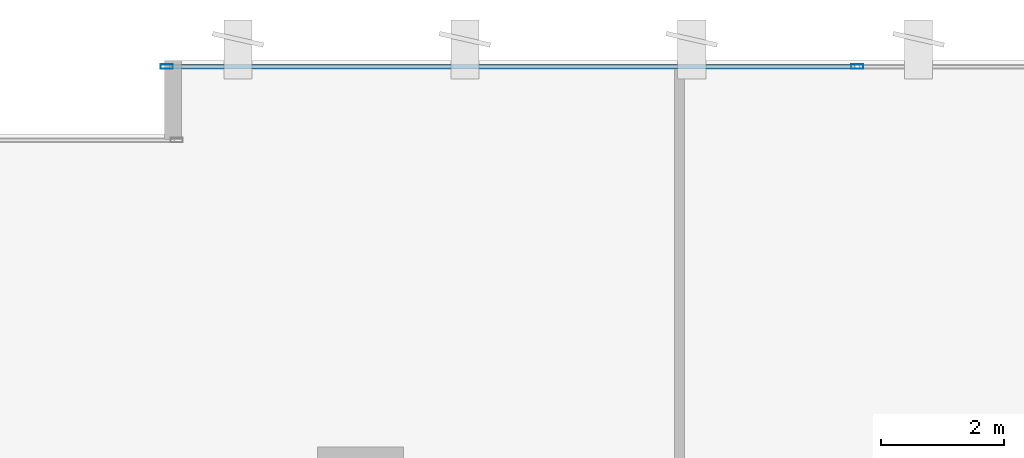
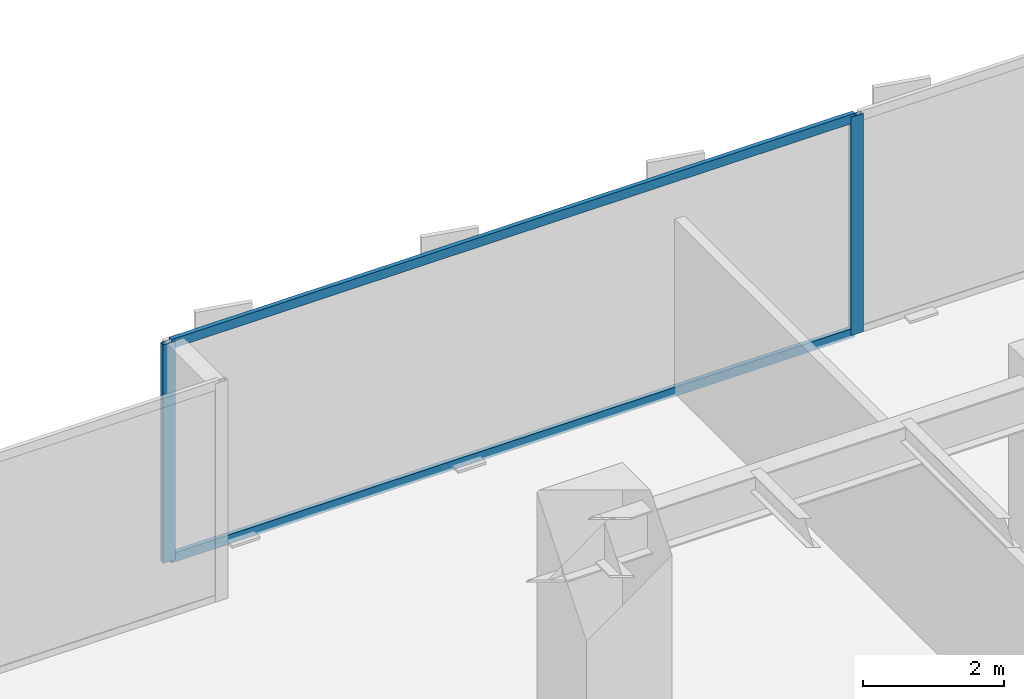
# One storey, part 22 of 36: 4 members, 1 element without a shape of its own.
"""IFC4 building model written with IfcOpenShell, lengths in metres."""

import ifcopenshell
import ifcopenshell.guid

model = None  # the IFC model being written
_history = None  # IfcOwnerHistory: only IFC2X3 demands one
_inside = {}  # id of a spatial element -> (the spatial element, [elements in it])
_under = {}  # id of a project, library or spatial element -> (it, [spatial elements below it])
_declared = {}  # id of a project -> (the project, [libraries it declares])
_typed = {}  # id of a type object -> (the type object, [elements of that type])
_made_of = {}  # id of a material, layer set ... -> (it, [elements and type objects made of it])


def new_model(schema):
    """Start an empty IFC model of exactly this schema.

    Asked for "IFC4X3", IfcOpenShell would pick the latest addendum, in which some entities
    have other attributes; the version numbers below select the first issue.
    IFC2X3 requires an IfcOwnerHistory on every rooted entity: one is made here for all.
    """
    global model, _history
    if schema == "IFC4X3":
        model = ifcopenshell.file(schema_version=(4, 3, 0, 0))
    else:
        model = ifcopenshell.file(schema=schema)
    _inside.clear()
    _under.clear()
    _declared.clear()
    _typed.clear()
    _made_of.clear()
    _history = None
    if model.schema == "IFC2X3":
        org = make("IfcOrganization", Name="unknown")
        user = make(
            "IfcPersonAndOrganization",
            ThePerson=make("IfcPerson", FamilyName="unknown"),
            TheOrganization=org,
        )
        app = make(
            "IfcApplication",
            ApplicationDeveloper=org,
            Version="unknown",
            ApplicationFullName="unknown",
            ApplicationIdentifier="unknown",
        )
        _history = make(
            "IfcOwnerHistory",
            OwningUser=user,
            OwningApplication=app,
            ChangeAction="ADDED",
            CreationDate=0,
        )
    return model


def make(cls, **values):
    """One entity of the class cls with the attributes given. An attribute that is None is left unset."""
    return model.create_entity(
        cls, **{name: value for name, value in values.items() if value is not None}
    )


def rooted(cls, **values):
    """An entity with a GlobalId (a new one), such as an element, a storey or a relation."""
    return make(cls, GlobalId=ifcopenshell.guid.new(), OwnerHistory=_history, **values)


def si_unit(unit_type, name, prefix=None):
    """IfcSIUnit, for example si_unit("LENGTHUNIT", "METRE", prefix="MILLI")."""
    return make("IfcSIUnit", UnitType=unit_type, Prefix=prefix, Name=name)


def assignment(units):
    """IfcUnitAssignment: the units of a project."""
    return None if units is None else make("IfcUnitAssignment", Units=units)


def point(xyz):
    """IfcCartesianPoint."""
    return None if xyz is None else make("IfcCartesianPoint", Coordinates=xyz)


def direction(xyz):
    """IfcDirection."""
    return None if xyz is None else make("IfcDirection", DirectionRatios=xyz)


def frame(location, z_axis=None, x_axis=None):
    """IfcAxis2Placement3D, a coordinate frame: its origin and axes. An axis left out is left unset."""
    return make(
        "IfcAxis2Placement3D",
        Location=point(location),
        Axis=direction(z_axis),
        RefDirection=direction(x_axis),
    )


def frame_2d(location, x_axis=None):
    """IfcAxis2Placement2D, a coordinate frame in the plane: its origin and x axis."""
    return make(
        "IfcAxis2Placement2D", Location=point(location), RefDirection=direction(x_axis)
    )


def origin():
    """The frame at (0, 0, 0) with its axes left unset."""
    return frame((0.0, 0.0, 0.0))


def origin_2d():
    """The frame at (0, 0) in the plane with its x axis left unset."""
    return frame_2d((0.0, 0.0))


def place(relative_to, where):
    """IfcLocalPlacement: puts the frame where relative to a parent placement (None: the world)."""
    return make(
        "IfcLocalPlacement", PlacementRelTo=relative_to, RelativePlacement=where
    )


def context(
    kind, dimensions, precision=None, world=None, true_north=None, identifier=None
):
    """IfcGeometricRepresentationContext, for example the 3D "Model" context."""
    return make(
        "IfcGeometricRepresentationContext",
        ContextIdentifier=identifier,
        ContextType=kind,
        CoordinateSpaceDimension=dimensions,
        Precision=precision,
        WorldCoordinateSystem=world,
        TrueNorth=true_north,
    )


def subcontext(parent, identifier, kind, view, scale=None):
    """IfcGeometricRepresentationSubContext, for example "Body" below "Model"."""
    return make(
        "IfcGeometricRepresentationSubContext",
        ContextIdentifier=identifier,
        ContextType=kind,
        ParentContext=parent,
        TargetScale=scale,
        TargetView=view,
    )


def project(units=None, contexts=None):
    """IfcProject with its units and contexts."""
    return rooted(
        "IfcProject",
        Name="project",
        RepresentationContexts=contexts,
        UnitsInContext=assignment(units),
    )


def spatial(cls, under=None, at=None, **own):
    """A site, building, storey or space (cls), placed at a placement, below another one or the project."""
    s = rooted(cls, ObjectPlacement=at, **own)
    if under is not None:
        _under.setdefault(under.id(), (under, []))[1].append(s)
    return s


def profile(cls, at=None, kind="AREA", **sizes):
    """A parametric profile (cls). Its sizes go by their IFC names, for example OverallWidth=200.0."""
    return make(cls, ProfileType=kind, Position=at, **sizes)


def hollow_rectangle(**sizes):
    """IfcRectangleHollowProfileDef."""
    return profile("IfcRectangleHollowProfileDef", **sizes)


def extrude(swept, where, along, depth):
    """IfcExtrudedAreaSolid: the profile swept, set in the frame where, extruded along a direction by depth."""
    return make(
        "IfcExtrudedAreaSolid",
        SweptArea=swept,
        Position=where,
        ExtrudedDirection=direction(along),
        Depth=depth,
    )


def shape(context_of_items, identifier, shape_type, items):
    """IfcShapeRepresentation: the items that make up one representation, for example the "Body"."""
    return make(
        "IfcShapeRepresentation",
        ContextOfItems=context_of_items,
        RepresentationIdentifier=identifier,
        RepresentationType=shape_type,
        Items=items,
    )


def source(mapping_origin, context_of_items, identifier, shape_type, items):
    """IfcRepresentationMap: a shape defined once, which mapped items show again and again."""
    return make(
        "IfcRepresentationMap",
        MappingOrigin=mapping_origin,
        MappedRepresentation=shape(context_of_items, identifier, shape_type, items),
    )


def transform(
    local_origin,
    x_axis=None,
    y_axis=None,
    z_axis=None,
    scale=None,
    scale2=None,
    scale3=None,
    uniform=True,
):
    """IfcCartesianTransformationOperator3D, or its non-uniform kind. x_axis, y_axis, z_axis: its Axis1, 2, 3."""
    if uniform:
        return make(
            "IfcCartesianTransformationOperator3D",
            Axis1=direction(x_axis),
            Axis2=direction(y_axis),
            LocalOrigin=point(local_origin),
            Scale=scale,
            Axis3=direction(z_axis),
        )
    return make(
        "IfcCartesianTransformationOperator3DnonUniform",
        Axis1=direction(x_axis),
        Axis2=direction(y_axis),
        LocalOrigin=point(local_origin),
        Scale=scale,
        Axis3=direction(z_axis),
        Scale2=scale2,
        Scale3=scale3,
    )


def mapped(mapping_source, mapping_target):
    """IfcMappedItem: shows the shape of a source again, moved by a transform."""
    return make(
        "IfcMappedItem", MappingSource=mapping_source, MappingTarget=mapping_target
    )


def material(Name=None, Category=None):
    """IfcMaterial."""
    return make("IfcMaterial", Name=Name, Category=Category)


def layer(
    of_material, thickness, ventilated=None, Name=None, Category=None, Priority=None
):
    """IfcMaterialLayer: one layer of a wall or slab, of a material (None: an air gap)."""
    return make(
        "IfcMaterialLayer",
        Material=of_material,
        LayerThickness=thickness,
        IsVentilated=ventilated,
        Name=Name,
        Category=Category,
        Priority=Priority,
    )


def layer_set(layers, Name=None):
    """IfcMaterialLayerSet."""
    return make("IfcMaterialLayerSet", MaterialLayers=layers, LayerSetName=Name)


def material_profile(
    of_material, cross_section, Name=None, Category=None, Priority=None
):
    """IfcMaterialProfile: a cross section and its material."""
    return make(
        "IfcMaterialProfile",
        Name=Name,
        Material=of_material,
        Profile=cross_section,
        Priority=Priority,
        Category=Category,
    )


def profile_set(profiles, Name=None, composite=None):
    """IfcMaterialProfileSet."""
    return make(
        "IfcMaterialProfileSet",
        Name=Name,
        MaterialProfiles=profiles,
        CompositeProfile=composite,
    )


def made_of(thing, what):
    """Note that an element or type object is made of a material, layer set ...; save() writes the relation."""
    if what is not None:
        _made_of.setdefault(what.id(), (what, []))[1].append(thing)
    return thing


def type_object(cls, material=None, **own):
    """A type object (cls), such as IfcWallType, which elements share."""
    return made_of(rooted(cls, **own), material)


def type_shapes(of_type, sources):
    """Give a type object the sources (RepresentationMaps) that its elements show as mapped items."""
    of_type.RepresentationMaps = sources


def element(
    cls,
    number,
    at=None,
    inside=None,
    cuts=None,
    type_object=None,
    material=None,
    context=None,
    identifier="Body",
    shape_type=None,
    held_by="IfcProductDefinitionShape",
    body=None,
    shapes=None,
    **own,
):
    """One element of the class cls, such as IfcWall. Its Tag is "e" and its number.

    at: its placement. inside: the storey or other place that contains it. cuts: it is an
    opening in that element (IfcRelVoidsElement). A single representation is given by context,
    identifier, shape_type and body (its items); several are given by shapes. held_by: the class
    of the entity that holds the representations. save() writes the other relations.
    """
    e = rooted(cls, Tag="e%d" % number, ObjectPlacement=at, **own)
    if body is not None:
        shapes = [shape(context, identifier, shape_type, body)]
    if shapes is not None:
        e.Representation = make(held_by, Representations=shapes)
    if inside is not None:
        _inside.setdefault(inside.id(), (inside, []))[1].append(e)
    if cuts is not None:
        rooted(
            "IfcRelVoidsElement", RelatingBuildingElement=cuts, RelatedOpeningElement=e
        )
    if type_object is not None:
        _typed.setdefault(type_object.id(), (type_object, []))[1].append(e)
    return made_of(e, material)


def aggregate(whole, parts):
    """IfcRelAggregates: a whole, such as a stair, and the parts it consists of."""
    return rooted("IfcRelAggregates", RelatingObject=whole, RelatedObjects=parts)


def save(model, path):
    """Write the relations noted so far, then the file.

    IfcRelAggregates (storeys below a building ...), IfcRelContainedInSpatialStructure (elements
    in a storey), IfcRelDefinesByType, IfcRelAssociatesMaterial and IfcRelDeclares: one each for
    every whole, place, type object, material and project.
    """
    for whole, parts in _under.values():
        aggregate(whole, parts)
    for where, things in _inside.values():
        rooted(
            "IfcRelContainedInSpatialStructure",
            RelatedElements=things,
            RelatingStructure=where,
        )
    for kind, things in _typed.values():
        rooted("IfcRelDefinesByType", RelatedObjects=things, RelatingType=kind)
    for what, things in _made_of.values():
        rooted("IfcRelAssociatesMaterial", RelatedObjects=things, RelatingMaterial=what)
    for by, libraries in _declared.values():
        rooted("IfcRelDeclares", RelatingContext=by, RelatedDefinitions=libraries)
    model.write(path)


model = new_model("IFC4")

# Units and contexts
model_context = context("Model", 3, precision=1e-05, world=origin(), true_north=direction((0.0, 1.0)))
body_context = subcontext(model_context, "Body", "Model", "MODEL_VIEW")
ifc_project = project(units=[si_unit("LENGTHUNIT", "METRE"), si_unit("AREAUNIT", "SQUARE_METRE"), si_unit("VOLUMEUNIT", "CUBIC_METRE"), si_unit("PLANEANGLEUNIT", "RADIAN"), si_unit("MASSUNIT", "GRAM", prefix="KILO")], contexts=[model_context])

# Site, building, storey
site_placement = place(None, origin())
site = spatial("IfcSite", under=ifc_project, at=site_placement, CompositionType="ELEMENT")
building_placement = place(site_placement, origin())
building = spatial("IfcBuilding", under=site, at=building_placement, Name="Haelvirn Gate Laboratories", CompositionType="ELEMENT")
storey_placement = place(building_placement, frame((0.0, 0.0, 29.300048828125)))
storey = spatial("IfcBuildingStorey", under=building, at=storey_placement, Name="L07", CompositionType="ELEMENT", Elevation=29.300048828125)

# Curtain wall, members
ifc_material_1 = material(Name="Anodised bronze unitised aluminium & triple low-E glass", Category="aluminium")
ifc_layer = layer(ifc_material_1, 0.18408203125, Name="CW-SYS-2")
ifc_layer_set = layer_set([ifc_layer], Name="Anodised bronze unitised aluminium & triple low-E glass")
curtain_wall_type = type_object("IfcCurtainWallType", Name="CW-SYS-2", PredefinedType="NOTDEFINED", material=ifc_layer_set)
curtain_wall_placement = place(storey_placement, origin())
curtain_wall = element("IfcCurtainWall", 1, at=curtain_wall_placement, inside=storey, type_object=curtain_wall_type, Name="L07 Unitised Curtain Wall CW-L07-P0-E10-1", PredefinedType="NOTDEFINED")
ifc_material_2 = material(Name="Extruded aluminium 6063-T6 (anodised bronze)", Category="aluminium")
ifc_material_profile_1 = material_profile(ifc_material_2, hollow_rectangle(XDim=0.074951171875, YDim=0.199951171875, WallThickness=0.0048828125, at=origin_2d()), Name="CWM-200x75x5")
ifc_profile_set_1 = profile_set([ifc_material_profile_1], Name="Extruded aluminium 6063-T6 (anodised bronze)")
member_type_1 = type_object("IfcMemberType", Name="CWM-T200", PredefinedType="MULLION", material=ifc_profile_set_1)
shared_shape_1 = source(origin(), body_context, "Body", "SweptSolid", [
    extrude(hollow_rectangle(XDim=0.074951171875, YDim=0.199951171875, WallThickness=0.0048828125, at=origin_2d()), origin(), (0.0, 0.0, 1.0), 3.780029296875),
])
type_shapes(member_type_1, [shared_shape_1])
member_1_placement = place(storey_placement, frame((49.4375, 48.5, 0.0), z_axis=(0.0, 0.0, 1.0), x_axis=(0.0, 1.0, 0.0)))
member_1 = element("IfcMember", 2, at=member_1_placement, type_object=member_type_1, Name="CW2 mullion 1", PredefinedType="MULLION", context=body_context, shape_type="MappedRepresentation", body=[
    mapped(shared_shape_1, transform((0.0, 0.0, 0.0), scale=1.0)),
])
member_2_placement = place(storey_placement, frame((60.699951171875, 48.5, 0.0), z_axis=(0.0, 0.0, 1.0), x_axis=(0.0, 1.0, 0.0)))
member_2 = element("IfcMember", 3, at=member_2_placement, type_object=member_type_1, Name="CW2 mullion 2", PredefinedType="MULLION", context=body_context, shape_type="MappedRepresentation", body=[
    mapped(shared_shape_1, transform((0.0, 0.0, 0.0), scale=1.0)),
])
ifc_material_profile_2 = material_profile(ifc_material_2, hollow_rectangle(XDim=0.070068359375, YDim=0.159912109375, WallThickness=0.0048828125, at=origin_2d()), Name="CWT-160x70x5")
ifc_profile_set_2 = profile_set([ifc_material_profile_2], Name="Extruded aluminium 6063-T6 (anodised bronze)")
member_type_2 = type_object("IfcMemberType", Name="CWT-T160", PredefinedType="USERDEFINED", material=ifc_profile_set_2)
shared_shape_2 = source(origin(), body_context, "Body", "SweptSolid", [
    extrude(hollow_rectangle(XDim=0.070068359375, YDim=0.159912109375, WallThickness=0.0048828125, at=origin_2d()), origin(), (0.0, 0.0, 1.0), 11.1875),
])
type_shapes(member_type_2, [shared_shape_2])
member_3_placement = place(storey_placement, frame((49.47509765625, 48.5, 0.034912109375), z_axis=(1.0, 0.0, 0.0), x_axis=(0.0, 1.0, 0.0)))
member_3 = element("IfcMember", 4, at=member_3_placement, type_object=member_type_2, Name="CW2 transom 1.1", ObjectType="TRANSOM", PredefinedType="USERDEFINED", context=body_context, shape_type="MappedRepresentation", body=[
    mapped(shared_shape_2, transform((0.0, 0.0, 0.0), scale=1.0)),
])
member_4_placement = place(storey_placement, frame((49.47509765625, 48.5, 3.744873046875), z_axis=(1.0, 0.0, 0.0), x_axis=(0.0, 1.0, 0.0)))
member_4 = element("IfcMember", 5, at=member_4_placement, type_object=member_type_2, Name="CW2 transom 1.2", ObjectType="TRANSOM", PredefinedType="USERDEFINED", context=body_context, shape_type="MappedRepresentation", body=[
    mapped(shared_shape_2, transform((0.0, 0.0, 0.0), scale=1.0)),
])
aggregate(curtain_wall, [member_1, member_2, member_3, member_4])

save(model, "model.ifc")
